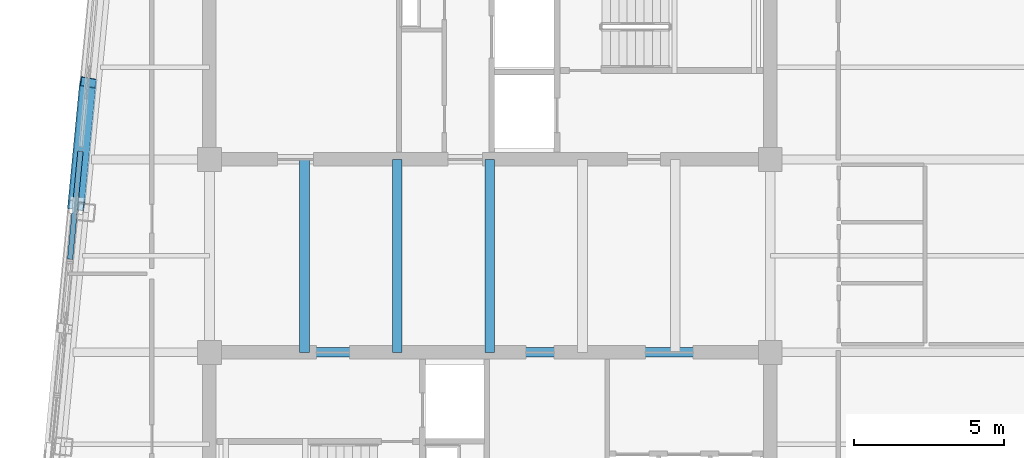
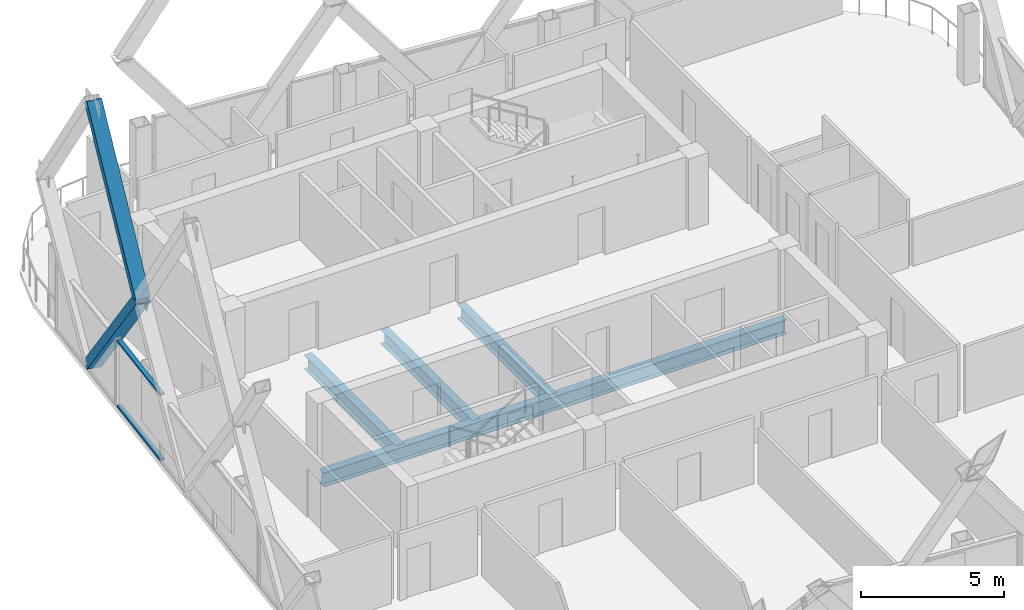
# One storey, part 10 of 25: 4 beams, 4 members, 1 element without a shape of its own.
"""IFC4 building model written with IfcOpenShell, lengths in metres."""

from ifc_helpers import new_model, si_unit, direction, frame, origin, origin_2d, place, context, subcontext, project, spatial, hollow_rectangle, i_section, extrude, material, layer, layer_set, material_profile, profile_set, type_object, element, aggregate, save


model = new_model("IFC4")

# Units and contexts
model_context = context("Model", 3, precision=1e-05, world=origin(), true_north=direction((0.0, 1.0)))
body_context = subcontext(model_context, "Body", "Model", "MODEL_VIEW")
ifc_project = project(units=[si_unit("LENGTHUNIT", "METRE"), si_unit("AREAUNIT", "SQUARE_METRE"), si_unit("VOLUMEUNIT", "CUBIC_METRE"), si_unit("PLANEANGLEUNIT", "RADIAN"), si_unit("MASSUNIT", "GRAM", prefix="KILO")], contexts=[model_context])

# Site, building, storey
site_placement = place(None, origin())
site = spatial("IfcSite", under=ifc_project, at=site_placement, CompositionType="ELEMENT")
building_placement = place(site_placement, origin())
building = spatial("IfcBuilding", under=site, at=building_placement, Name="Qhalaya Broadcast Tower", CompositionType="ELEMENT")
storey_placement = place(building_placement, frame((0.0, 0.0, 255.050048828125)))
storey = spatial("IfcBuildingStorey", under=building, at=storey_placement, Name="L75", CompositionType="ELEMENT", Elevation=255.050048828125)

# Beams
ifc_material_1 = material(Name="Structural Steel ASTM A992 Grade 50", Category="steel")
ifc_material_profile_1 = material_profile(ifc_material_1, i_section(OverallWidth=0.323974609375, OverallDepth=0.612060546875, WebThickness=0.0126953125, FlangeThickness=0.01904296875, at=origin_2d()), Name="W24X104")
ifc_profile_set_1 = profile_set([ifc_material_profile_1], Name="Structural Steel ASTM A992 Grade 50")
beam_type = type_object("IfcBeamType", Name="Core Frame Tie Beam B04", PredefinedType="BEAM", material=ifc_profile_set_1)
beam_placement = place(storey_placement, frame((-9.375, -2.625, -0.49609375), z_axis=(1.0, 0.0, 0.0), x_axis=(0.0, 1.0, 0.0)))
element("IfcBeam", 1, at=beam_placement, inside=storey, type_object=beam_type, Name="L75 B04 L75-CCS1", PredefinedType="BEAM", context=body_context, shape_type="SweptSolid", body=[
    extrude(i_section(OverallWidth=0.323974609375, OverallDepth=0.612060546875, WebThickness=0.0126953125, FlangeThickness=0.01904296875, at=origin_2d()), origin(), (0.0, 0.0, 1.0), 18.75),
])
for number, where, z_axis, x_axis, name in (
    (2, (-6.199951171875, -2.625, -0.49609375), (0.0, 1.0, 0.0), (-1.0, 0.0, 0.0), "L75 B04 L75-JC1-1"),
    (3, (-3.10009765625, -2.625, -0.49609375), (0.0, 1.0, 0.0), (-1.0, 0.0, 0.0), "L75 B04 L75-JC2-1"),
    (4, (0.0, -2.625, -0.49609375), (0.0, 1.0, 0.0), (-1.0, 0.0, 0.0), "L75 B04 L75-JC3-1"),
):
    element("IfcBeam", number, at=place(storey_placement, frame(where, z_axis=z_axis, x_axis=x_axis)), inside=storey, type_object=beam_type, Name=name, PredefinedType="BEAM", context=body_context, shape_type="SweptSolid", body=[
        extrude(i_section(OverallWidth=0.323974609375, OverallDepth=0.612060546875, WebThickness=0.0126953125, FlangeThickness=0.01904296875, at=origin_2d()), origin(), (0.0, 0.0, 1.0), 6.449951171875),
    ])

# Members
ifc_material_2 = material(Name="Structural Steel ASTM A572 Grade 50", Category="steel")
ifc_material_profile_2 = material_profile(ifc_material_2, hollow_rectangle(XDim=0.3798828125, YDim=0.550048828125, WallThickness=0.02490234375, at=origin_2d()), Name="BOX 380x550x25")
ifc_profile_set_2 = profile_set([ifc_material_profile_2], Name="Structural Steel ASTM A572 Grade 50")
member_type_1 = type_object("IfcMemberType", Name="Exoskeleton Diamond Diagonal Upper EX4", PredefinedType="BRACE", material=ifc_profile_set_2)
member_1_placement = place(storey_placement, frame((-13.425537109375, 6.3984375, 0.35986328125), z_axis=(-0.058301925892, -0.605362942159, 0.793811434597), x_axis=(0.171153078973, 0.777329359739, 0.60536409709)))
element("IfcMember", 5, at=member_1_placement, inside=storey, type_object=member_type_1, Name="B6 Exoskeleton Diamond Brace W1-D2", PredefinedType="BRACE", context=body_context, shape_type="SweptSolid", body=[
    extrude(hollow_rectangle(XDim=0.3798828125, YDim=0.550048828125, WallThickness=0.02490234375, at=origin_2d()), origin(), (0.0, 0.0, 1.0), 6.79638671875),
])
member_2_placement = place(storey_placement, frame((-13.82177734375, 2.2841796875, 5.7548828125), z_axis=(0.055161336321, 0.572753444041, 0.817869622443), x_axis=(-0.17344881055, -0.801166493771, 0.572754536758)))
element("IfcMember", 6, at=member_2_placement, inside=storey, type_object=member_type_1, Name="B6 Exoskeleton Diamond Brace W1-D4", PredefinedType="BRACE", context=body_context, shape_type="SweptSolid", body=[
    extrude(hollow_rectangle(XDim=0.3798828125, YDim=0.550048828125, WallThickness=0.02490234375, at=origin_2d()), origin(), (0.0, 0.0, 1.0), 7.183349609375),
])

# Curtain wall, members
ifc_material_3 = material(Name="Solar-Control Low-E Triple Glazing", Category="glass")
ifc_layer = layer(ifc_material_3, 0.219970703125, Name="Solar-Control Low-E Triple Glazing")
ifc_layer_set = layer_set([ifc_layer], Name="Solar-Control Low-E Triple Glazing")
curtain_wall_type = type_object("IfcCurtainWallType", Name="High-Altitude Upper-Shaft Triple Low-E Curtain Wall CW-04", PredefinedType="NOTDEFINED", material=ifc_layer_set)
curtain_wall_placement = place(storey_placement, origin())
curtain_wall = element("IfcCurtainWall", 7, at=curtain_wall_placement, inside=storey, type_object=curtain_wall_type, Name="L75 Unitised Curtain Wall L75-CW-W2", PredefinedType="NOTDEFINED")
ifc_material_4 = material(Name="Anodised Aluminium 6063-T6", Category="aluminium")
ifc_material_profile_3 = material_profile(ifc_material_4, hollow_rectangle(XDim=0.074951171875, YDim=0.179931640625, WallThickness=0.00390625, at=origin_2d()), Name="ALU-TRN 75x180x4")
ifc_profile_set_3 = profile_set([ifc_material_profile_3], Name="Anodised Aluminium 6063-T6")
member_type_2 = type_object("IfcMemberType", Name="Unitised Curtain-Wall Transom T01", PredefinedType="USERDEFINED", material=ifc_profile_set_3)
member_3_placement = place(storey_placement, frame((-13.68798828125, 4.09130859375, 0.037353515625), z_axis=(-0.095826687714, -0.995398033915, 0.0), x_axis=(0.0, 0.0, 1.0)))
member_3 = element("IfcMember", 8, at=member_3_placement, type_object=member_type_2, Name="CW-04 transom 1.1", ObjectType="TRANSOM", PredefinedType="USERDEFINED", context=body_context, shape_type="SweptSolid", body=[
    extrude(hollow_rectangle(XDim=0.074951171875, YDim=0.179931640625, WallThickness=0.00390625, at=origin_2d()), origin(), (0.0, 0.0, 1.0), 3.622802734375),
])
member_4_placement = place(storey_placement, frame((-13.68798828125, 4.09130859375, 2.822509765625), z_axis=(-0.095826687714, -0.995398033915, 0.0), x_axis=(0.0, 0.0, 1.0)))
member_4 = element("IfcMember", 9, at=member_4_placement, type_object=member_type_2, Name="CW-04 transom 1.2", ObjectType="TRANSOM", PredefinedType="USERDEFINED", context=body_context, shape_type="SweptSolid", body=[
    extrude(hollow_rectangle(XDim=0.074951171875, YDim=0.179931640625, WallThickness=0.00390625, at=origin_2d()), origin(), (0.0, 0.0, 1.0), 3.622802734375),
])
aggregate(curtain_wall, [member_3, member_4])

save(model, "model.ifc")
